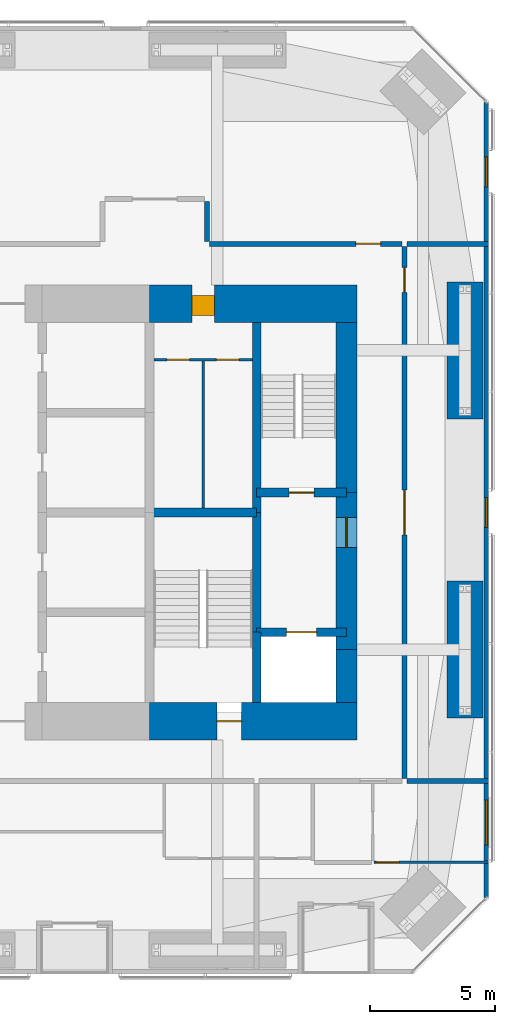
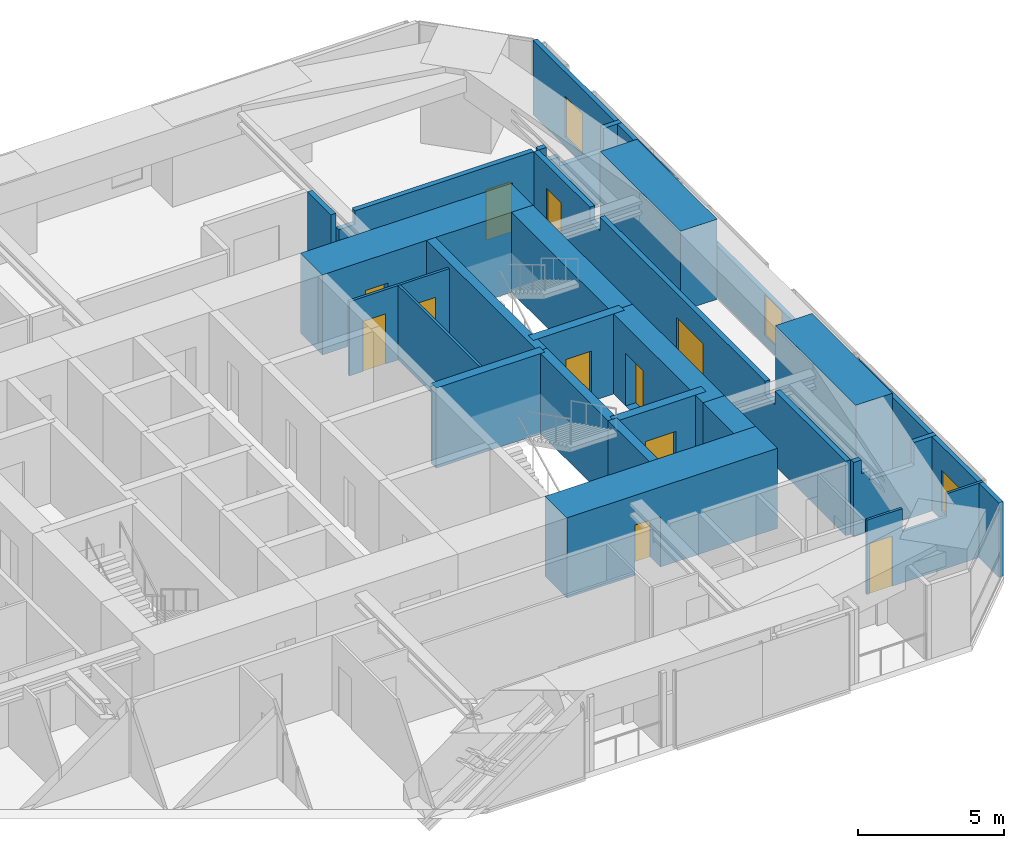
# One storey, part 21 of 24: 22 walls, 11 doors, 3 windows, 14 openings.
"""IFC4 building model written with IfcOpenShell, lengths in metres."""

from ifc_helpers import new_model, si_unit, direction, frame, frame_2d, origin, place, context, subcontext, project, spatial, polyline, rectangle, outline, extrude, material, layer, layer_set, constituent, constituent_set, type_object, element, fill, save


model = new_model("IFC4")

# Units and contexts
model_context = context("Model", 3, precision=1e-05, world=origin(), true_north=direction((0.0, 1.0)))
body_context = subcontext(model_context, "Body", "Model", "MODEL_VIEW")
ifc_project = project(units=[si_unit("LENGTHUNIT", "METRE"), si_unit("AREAUNIT", "SQUARE_METRE"), si_unit("VOLUMEUNIT", "CUBIC_METRE"), si_unit("PLANEANGLEUNIT", "RADIAN"), si_unit("MASSUNIT", "GRAM", prefix="KILO")], contexts=[model_context])

# Site, building, storey
site_placement = place(None, origin())
site = spatial("IfcSite", under=ifc_project, at=site_placement, CompositionType="ELEMENT")
building_placement = place(site_placement, origin())
building = spatial("IfcBuilding", under=site, at=building_placement, Name="Jalousie Tower", CompositionType="ELEMENT")
storey_placement = place(building_placement, frame((0.0, 0.0, 135.0)))
storey = spatial("IfcBuildingStorey", under=building, at=storey_placement, Name="L37", CompositionType="ELEMENT", Elevation=135.0)

# Wall, opening, door
ifc_material_1 = material(Name="Concrete f'c 120 MPa", Category="concrete")
ifc_layer_1 = layer(ifc_material_1, 1.5)
ifc_layer_set_1 = layer_set([ifc_layer_1], Name="Concrete f'c 120 MPa")
wall_type_1 = type_object("IfcWallType", Name="CORE WALL 1500", PredefinedType="SHEAR", material=ifc_layer_set_1)
wall_1_placement = place(storey_placement, frame((35.89990234375, 10.125, 0.0), z_axis=(0.0, 0.0, 1.0), x_axis=(1.0, 0.0, 0.0)))
wall_1 = element("IfcWall", 1, at=wall_1_placement, inside=storey, type_object=wall_type_1, Name="Core wall SD L37", PredefinedType="SHEAR", context=body_context, shape_type="SweptSolid", body=[
    extrude(rectangle(XDim=8.3251953125, YDim=1.5, at=frame_2d((4.16259765625, 0.0))), origin(), (0.0, 0.0, 1.0), 3.35009765625),
])
opening_1_placement = place(wall_1_placement, frame((2.699951171875, 0.0, 0.0)))
opening_1 = element("IfcOpeningElement", 2, at=opening_1_placement, cuts=wall_1, Name="Opening D10", PredefinedType="OPENING", context=body_context, shape_type="SweptSolid", body=[
    extrude(rectangle(XDim=1.0, YDim=2.10009765625, at=frame_2d((0.5, 1.050048828125))), frame((0.0, 0.760009765625, 0.0), z_axis=(0.0, -1.0, 0.0), x_axis=(1.0, 0.0, 0.0)), (0.0, 0.0, 1.0), 1.52001953125),
])
ifc_material_2 = material(Name="Steel fire door", Category="steel")
door_type_1 = type_object("IfcDoorType", Name="STAIR DOOR 1000", OperationType="SINGLE_SWING_LEFT", PredefinedType="DOOR", material=ifc_material_2)
door_1_placement = place(opening_1_placement, origin())
door_1 = element("IfcDoor", 3, at=door_1_placement, inside=storey, type_object=door_type_1, Name="Exit stair C door", OperationType="SINGLE_SWING_RIGHT", OverallHeight=2.10009765625, OverallWidth=1.0, PredefinedType="DOOR", context=body_context, shape_type="SweptSolid", body=[
    extrude(rectangle(XDim=1.0, YDim=2.10009765625, at=frame_2d((0.5, 1.050048828125))), frame((0.0, 0.02490234375, 0.0), z_axis=(0.0, -1.0, 0.0), x_axis=(1.0, 0.0, 0.0)), (0.0, 0.0, 1.0), 0.050048828125),
])
fill(opening_1, door_1)

wall_2_placement = place(storey_placement, frame((44.22509765625, 26.875, 0.0), z_axis=(0.0, 0.0, 1.0), x_axis=(-1.0, 0.0, 0.0)))
wall_2 = element("IfcWall", 4, at=wall_2_placement, inside=storey, type_object=wall_type_1, Name="Core wall NA L37", PredefinedType="SHEAR", context=body_context, shape_type="SweptSolid", body=[
    extrude(rectangle(XDim=8.3251953125, YDim=1.5, at=frame_2d((4.16259765625, 0.0))), origin(), (0.0, 0.0, 1.0), 3.35009765625),
])
opening_2_placement = place(wall_2_placement, frame((5.72509765625, 0.0, 0.0)))
opening_2 = element("IfcOpeningElement", 5, at=opening_2_placement, cuts=wall_2, Name="Opening D25", PredefinedType="OPENING", context=body_context, shape_type="SweptSolid", body=[
    extrude(rectangle(XDim=0.89990234375, YDim=2.10009765625, at=frame_2d((0.449951171875, 1.050048828125))), frame((0.0, 0.760009765625, 0.0), z_axis=(0.0, -1.0, 0.0), x_axis=(1.0, 0.0, 0.0)), (0.0, 0.0, 1.0), 1.52001953125),
])
ifc_material_3 = material(Name="Steel fire door", Category="steel")
door_type_2 = type_object("IfcDoorType", Name="SERVICE LOBBY DOOR 900", OperationType="SINGLE_SWING_LEFT", PredefinedType="DOOR", material=ifc_material_3)
door_2_placement = place(opening_2_placement, origin())
door_2 = element("IfcDoor", 6, at=door_2_placement, inside=storey, type_object=door_type_2, Name="Service lobby door", OperationType="SINGLE_SWING_LEFT", OverallHeight=2.10009765625, OverallWidth=0.89990234375, PredefinedType="DOOR", context=body_context, shape_type="SweptSolid", body=[
    extrude(rectangle(XDim=0.89990234375, YDim=2.10009765625, at=frame_2d((0.449951171875, 1.050048828125))), frame((0.0, 0.47021484375, 0.0), z_axis=(0.0, -1.0, 0.0), x_axis=(1.0, 0.0, 0.0)), (0.0, 0.0, 1.0), 0.800048828125),
])
fill(opening_2, door_2)

# Walls
ifc_material_4 = material(Name="Concrete f'c 120 MPa", Category="concrete")
ifc_layer_2 = layer(ifc_material_4, 0.35009765625)
ifc_layer_set_2 = layer_set([ifc_layer_2], Name="Concrete f'c 120 MPa")
wall_type_2 = type_object("IfcWallType", Name="CORE WALL 350", PredefinedType="SHEAR", material=ifc_layer_set_2)
wall_3_placement = place(storey_placement, frame((40.199951171875, 10.875, 0.0), z_axis=(0.0, 0.0, 1.0), x_axis=(0.0, 1.0, 0.0)))
element("IfcWall", 7, at=wall_3_placement, inside=storey, type_object=wall_type_2, Name="Core wall X40.2A L37", PredefinedType="SHEAR", context=body_context, shape_type="SweptSolid", body=[
    extrude(rectangle(XDim=2.824951171875, YDim=0.35009765625, at=frame_2d((1.41259765625, 0.0))), origin(), (0.0, 0.0, 1.0), 3.35009765625),
])
wall_4_placement = place(storey_placement, frame((40.199951171875, 13.699951171875, 0.0), z_axis=(0.0, 0.0, 1.0), x_axis=(0.0, 1.0, 0.0)))
element("IfcWall", 8, at=wall_4_placement, inside=storey, type_object=wall_type_2, Name="Core wall X40.2B L37", PredefinedType="SHEAR", context=body_context, shape_type="SweptSolid", body=[
    extrude(rectangle(XDim=4.800048828125, YDim=0.35009765625, at=frame_2d((2.39990234375, 0.0))), origin(), (0.0, 0.0, 1.0), 3.35009765625),
])
wall_5_placement = place(storey_placement, frame((40.199951171875, 18.5, 0.0), z_axis=(0.0, 0.0, 1.0), x_axis=(0.0, 1.0, 0.0)))
element("IfcWall", 9, at=wall_5_placement, inside=storey, type_object=wall_type_2, Name="Core wall X40.2C L37", PredefinedType="SHEAR", context=body_context, shape_type="SweptSolid", body=[
    extrude(rectangle(XDim=7.625, YDim=0.35009765625, at=frame_2d((3.8125, 0.0))), origin(), (0.0, 0.0, 1.0), 3.35009765625),
])
wall_6_placement = place(storey_placement, frame((35.89990234375, 18.5, 0.0), z_axis=(0.0, 0.0, 1.0), x_axis=(1.0, 0.0, 0.0)))
element("IfcWall", 10, at=wall_6_placement, inside=storey, type_object=wall_type_2, Name="Core wall Y35.9-18.5 L37", PredefinedType="SHEAR", context=body_context, shape_type="SweptSolid", body=[
    extrude(rectangle(XDim=4.300048828125, YDim=0.35009765625, at=frame_2d((2.14990234375, 0.0))), origin(), (0.0, 0.0, 1.0), 3.35009765625),
])

# Wall, opening, door
wall_7_placement = place(storey_placement, frame((40.199951171875, 13.699951171875, 0.0), z_axis=(0.0, 0.0, 1.0), x_axis=(1.0, 0.0, 0.0)))
wall_7 = element("IfcWall", 11, at=wall_7_placement, inside=storey, type_object=wall_type_2, Name="Core wall Y40.2-13.7 L37", PredefinedType="SHEAR", context=body_context, shape_type="SweptSolid", body=[
    extrude(rectangle(XDim=3.60009765625, YDim=0.35009765625, at=frame_2d((1.800048828125, 0.0))), origin(), (0.0, 0.0, 1.0), 3.35009765625),
])
opening_3_placement = place(wall_7_placement, frame((1.199951171875, 0.0, 0.0)))
opening_3 = element("IfcOpeningElement", 12, at=opening_3_placement, cuts=wall_7, Name="Opening LD2", PredefinedType="OPENING", context=body_context, shape_type="SweptSolid", body=[
    extrude(rectangle(XDim=1.199951171875, YDim=2.10009765625, at=frame_2d((0.60009765625, 1.050048828125))), frame((0.0, 0.18505859375, 0.0), z_axis=(0.0, -1.0, 0.0), x_axis=(1.0, 0.0, 0.0)), (0.0, 0.0, 1.0), 0.3701171875),
])
ifc_material_5 = material(Name="Steel lift landing door", Category="steel")
door_type_3 = type_object("IfcDoorType", Name="LIFT LANDING DOOR 1200", OperationType="SLIDING_TO_LEFT", PredefinedType="DOOR", material=ifc_material_5)
door_3_placement = place(opening_3_placement, origin())
door_3 = element("IfcDoor", 13, at=door_3_placement, inside=storey, type_object=door_type_3, Name="Lift F2 landing door", OperationType="SLIDING_TO_LEFT", OverallHeight=2.10009765625, OverallWidth=1.199951171875, PredefinedType="DOOR", context=body_context, shape_type="SweptSolid", body=[
    extrude(rectangle(XDim=1.199951171875, YDim=2.10009765625, at=frame_2d((0.60009765625, 1.050048828125))), frame((0.0, 0.02490234375, 0.0), z_axis=(0.0, -1.0, 0.0), x_axis=(1.0, 0.0, 0.0)), (0.0, 0.0, 1.0), 0.050048828125),
])
fill(opening_3, door_3)

wall_8_placement = place(storey_placement, frame((40.199951171875, 19.300048828125, 0.0), z_axis=(0.0, 0.0, 1.0), x_axis=(1.0, 0.0, 0.0)))
wall_8 = element("IfcWall", 14, at=wall_8_placement, inside=storey, type_object=wall_type_2, Name="Core wall Y40.2-19.3 L37", PredefinedType="SHEAR", context=body_context, shape_type="SweptSolid", body=[
    extrude(rectangle(XDim=3.60009765625, YDim=0.35009765625, at=frame_2d((1.800048828125, 0.0))), origin(), (0.0, 0.0, 1.0), 3.35009765625),
])
opening_4_placement = place(wall_8_placement, frame((1.300048828125, 0.0, 0.0)))
opening_4 = element("IfcOpeningElement", 15, at=opening_4_placement, cuts=wall_8, Name="Opening D10", PredefinedType="OPENING", context=body_context, shape_type="SweptSolid", body=[
    extrude(rectangle(XDim=1.0, YDim=2.10009765625, at=frame_2d((0.5, 1.050048828125))), frame((0.0, 0.18505859375, 0.0), z_axis=(0.0, -1.0, 0.0), x_axis=(1.0, 0.0, 0.0)), (0.0, 0.0, 1.0), 0.3701171875),
])
door_4_placement = place(opening_4_placement, origin())
door_4 = element("IfcDoor", 16, at=door_4_placement, inside=storey, type_object=door_type_1, Name="Exit stair B door", OperationType="SINGLE_SWING_RIGHT", OverallHeight=2.10009765625, OverallWidth=1.0, PredefinedType="DOOR", context=body_context, shape_type="SweptSolid", body=[
    extrude(rectangle(XDim=1.0, YDim=2.10009765625, at=frame_2d((0.5, 1.050048828125))), frame((0.0, 0.02490234375, 0.0), z_axis=(0.0, -1.0, 0.0), x_axis=(1.0, 0.0, 0.0)), (0.0, 0.0, 1.0), 0.050048828125),
])
fill(opening_4, door_4)

# Wall
ifc_material_6 = material(Name="Concrete f'c 120 MPa", Category="concrete")
ifc_layer_3 = layer(ifc_material_6, 0.85009765625)
ifc_layer_set_3 = layer_set([ifc_layer_3], Name="Concrete f'c 120 MPa")
wall_type_3 = type_object("IfcWallType", Name="CORE WALL 850", PredefinedType="SHEAR", material=ifc_layer_set_3)
wall_9_placement = place(storey_placement, frame((43.800048828125, 10.875, 0.0), z_axis=(0.0, 0.0, 1.0), x_axis=(0.0, 1.0, 0.0)))
element("IfcWall", 17, at=wall_9_placement, inside=storey, type_object=wall_type_3, Name="Core wall EA L37", PredefinedType="SHEAR", context=body_context, shape_type="SweptSolid", body=[
    extrude(rectangle(XDim=2.125, YDim=0.85009765625, at=frame_2d((1.0625, 0.0))), origin(), (0.0, 0.0, 1.0), 3.35009765625),
])

# Wall, opening, door
wall_10_placement = place(storey_placement, frame((43.800048828125, 13.0, 0.0), z_axis=(0.0, 0.0, 1.0), x_axis=(0.0, 1.0, 0.0)))
wall_10 = element("IfcWall", 18, at=wall_10_placement, inside=storey, type_object=wall_type_3, Name="Core wall EB L37", PredefinedType="SHEAR", context=body_context, shape_type="SweptSolid", body=[
    extrude(rectangle(XDim=6.300048828125, YDim=0.85009765625, at=frame_2d((3.14990234375, 0.0))), origin(), (0.0, 0.0, 1.0), 3.35009765625),
])
opening_5_placement = place(wall_10_placement, frame((4.10009765625, 0.0, 0.0)))
opening_5 = element("IfcOpeningElement", 19, at=opening_5_placement, cuts=wall_10, Name="Opening D11", PredefinedType="OPENING", context=body_context, shape_type="SweptSolid", body=[
    extrude(rectangle(XDim=1.199951171875, YDim=2.199951171875, at=frame_2d((0.60009765625, 1.10009765625))), frame((0.0, 0.43505859375, 0.0), z_axis=(0.0, -1.0, 0.0), x_axis=(1.0, 0.0, 0.0)), (0.0, 0.0, 1.0), 0.8701171875),
])
ifc_material_7 = material(Name="Steel fire door", Category="steel")
door_type_4 = type_object("IfcDoorType", Name="FIRE DOOR 1200", OperationType="SINGLE_SWING_LEFT", PredefinedType="DOOR", material=ifc_material_7)
door_5_placement = place(opening_5_placement, origin())
door_5 = element("IfcDoor", 20, at=door_5_placement, inside=storey, type_object=door_type_4, Name="Fire-fighting lobby B door", OperationType="SINGLE_SWING_RIGHT", OverallHeight=2.199951171875, OverallWidth=1.199951171875, PredefinedType="DOOR", context=body_context, shape_type="SweptSolid", body=[
    extrude(rectangle(XDim=1.199951171875, YDim=2.199951171875, at=frame_2d((0.60009765625, 1.10009765625))), frame((0.0, 0.02490234375, 0.0), z_axis=(0.0, -1.0, 0.0), x_axis=(1.0, 0.0, 0.0)), (0.0, 0.0, 1.0), 0.050048828125),
])
fill(opening_5, door_5)

# Wall
wall_11_placement = place(storey_placement, frame((43.800048828125, 19.300048828125, 0.0), z_axis=(0.0, 0.0, 1.0), x_axis=(0.0, 1.0, 0.0)))
element("IfcWall", 21, at=wall_11_placement, inside=storey, type_object=wall_type_3, Name="Core wall EC L37", PredefinedType="SHEAR", context=body_context, shape_type="SweptSolid", body=[
    extrude(rectangle(XDim=6.824951171875, YDim=0.85009765625, at=frame_2d((3.41259765625, 0.0))), origin(), (0.0, 0.0, 1.0), 3.35009765625),
])

# Wall, openings, doors
ifc_material_8 = material(Name="Concrete block ASTM C90", Category="concrete")
ifc_constituent_1 = constituent(ifc_material_8, Name="Body")
ifc_material_9 = material(Name="Render")
ifc_constituent_2 = constituent(ifc_material_9, Name="Finish")
ifc_constituent_set_1 = constituent_set(constituents=[ifc_constituent_1, ifc_constituent_2])
wall_type_4 = type_object("IfcWallType", Name="CORRIDOR WALL 200", PredefinedType="PARTITIONING", material=ifc_constituent_set_1)
wall_12_placement = place(storey_placement, frame((46.125, 7.824951171875, 0.0), z_axis=(0.0, 0.0, 1.0), x_axis=(0.0, 1.0, 0.0)))
wall_12 = element("IfcWall", 22, at=wall_12_placement, inside=storey, type_object=wall_type_4, Name="Corridor Wall 200 L37", PredefinedType="PARTITIONING", context=body_context, shape_type="SweptSolid", body=[
    extrude(outline(polyline([(0.0, 0.0), (21.35009765625, 0.0), (21.35009765625, 3.110107421875), (17.512451171875, 3.110107421875), (17.512451171875, 2.541015625), (16.837646484375, 2.541015625), (16.837646484375, 3.110107421875), (5.51220703125, 3.110107421875), (5.51220703125, 2.541015625), (4.837646484375, 2.541015625), (4.837646484375, 3.110107421875), (0.0, 3.110107421875), (0.0, 0.0)])), frame((0.0, 0.10009765625, 0.0), z_axis=(0.0, -1.0, 0.0), x_axis=(1.0, 0.0, 0.0)), (0.0, 0.0, 1.0), 0.199951171875),
])
opening_6_placement = place(wall_12_placement, frame((9.77490234375, 0.0, 0.0)))
opening_6 = element("IfcOpeningElement", 23, at=opening_6_placement, cuts=wall_12, Name="Opening D22", PredefinedType="OPENING", context=body_context, shape_type="SweptSolid", body=[
    extrude(rectangle(XDim=1.800048828125, YDim=2.10009765625, at=frame_2d((0.89990234375, 1.050048828125))), frame((0.0, 0.10986328125, 0.0), z_axis=(0.0, -1.0, 0.0), x_axis=(1.0, 0.0, 0.0)), (0.0, 0.0, 1.0), 0.219970703125),
])
opening_7_placement = place(wall_12_placement, frame((19.5, 0.0, 0.0)))
opening_7 = element("IfcOpeningElement", 24, at=opening_7_placement, cuts=wall_12, Name="Opening D21", PredefinedType="OPENING", context=body_context, shape_type="SweptSolid", body=[
    extrude(rectangle(XDim=1.0, YDim=2.10009765625, at=frame_2d((0.5, 1.050048828125))), frame((0.0, 0.10986328125, 0.0), z_axis=(0.0, -1.0, 0.0), x_axis=(1.0, 0.0, 0.0)), (0.0, 0.0, 1.0), 0.219970703125),
])
ifc_material_10 = material(Name="Timber fire door", Category="wood")
door_type_5 = type_object("IfcDoorType", Name="CORRIDOR DOOR 1000", OperationType="SINGLE_SWING_LEFT", PredefinedType="DOOR", material=ifc_material_10)
door_6_placement = place(opening_7_placement, frame((1.0, 0.0, 0.0), z_axis=(0.0, 0.0, 1.0), x_axis=(-1.0, 0.0, 0.0)))
door_6 = element("IfcDoor", 25, at=door_6_placement, inside=storey, type_object=door_type_5, Name="Lounge second door", OperationType="SINGLE_SWING_LEFT", OverallHeight=2.10009765625, OverallWidth=1.0, PredefinedType="DOOR", context=body_context, shape_type="SweptSolid", body=[
    extrude(rectangle(XDim=1.0, YDim=2.10009765625, at=frame_2d((0.5, 1.050048828125))), frame((0.0, 0.02490234375, 0.0), z_axis=(0.0, -1.0, 0.0), x_axis=(1.0, 0.0, 0.0)), (0.0, 0.0, 1.0), 0.050048828125),
])
fill(opening_7, door_6)
ifc_material_11 = material(Name="Timber fire door", Category="wood")
door_type_6 = type_object("IfcDoorType", Name="CORRIDOR DOUBLE DOOR 1800", OperationType="DOUBLE_DOOR_SINGLE_SWING", PredefinedType="DOOR", material=ifc_material_11)
door_7_placement = place(opening_6_placement, frame((1.800048828125, 0.0, 0.0), z_axis=(0.0, 0.0, 1.0), x_axis=(-1.0, 0.0, 0.0)))
door_7 = element("IfcDoor", 26, at=door_7_placement, inside=storey, type_object=door_type_6, Name="Lounge door", OperationType="DOUBLE_DOOR_SINGLE_SWING", OverallHeight=2.10009765625, OverallWidth=1.800048828125, PredefinedType="DOOR", context=body_context, shape_type="SweptSolid", body=[
    extrude(rectangle(XDim=1.800048828125, YDim=2.10009765625, at=frame_2d((0.89990234375, 1.050048828125))), frame((0.0, 0.02490234375, 0.0), z_axis=(0.0, -1.0, 0.0), x_axis=(1.0, 0.0, 0.0)), (0.0, 0.0, 1.0), 0.050048828125),
])
fill(opening_6, door_7)

# Wall, opening, door
wall_13_placement = place(storey_placement, frame((38.3125, 29.27490234375, 0.0), z_axis=(0.0, 0.0, 1.0), x_axis=(1.0, 0.0, 0.0)))
wall_13 = element("IfcWall", 27, at=wall_13_placement, inside=storey, type_object=wall_type_4, Name="Corridor Wall 200 L37", PredefinedType="PARTITIONING", context=body_context, shape_type="SweptSolid", body=[
    extrude(outline(polyline([(0.0, 0.0), (7.71240234375, 0.0), (7.71240234375, 3.110107421875), (0.64990234375, 3.110107421875), (0.64990234375, 2.541015625), (0.0, 2.541015625), (0.0, 3.110107421875), (0.0, 0.0)])), frame((0.0, 0.10009765625, 0.0), z_axis=(0.0, -1.0, 0.0), x_axis=(1.0, 0.0, 0.0)), (0.0, 0.0, 1.0), 0.199951171875),
])
opening_8_placement = place(wall_13_placement, frame((5.862548828125, 0.0, 0.0)))
opening_8 = element("IfcOpeningElement", 28, at=opening_8_placement, cuts=wall_13, Name="Opening D21", PredefinedType="OPENING", context=body_context, shape_type="SweptSolid", body=[
    extrude(rectangle(XDim=1.0, YDim=2.10009765625, at=frame_2d((0.5, 1.050048828125))), frame((0.0, 0.10986328125, 0.0), z_axis=(0.0, -1.0, 0.0), x_axis=(1.0, 0.0, 0.0)), (0.0, 0.0, 1.0), 0.219970703125),
])
door_8_placement = place(opening_8_placement, origin())
door_8 = element("IfcDoor", 29, at=door_8_placement, inside=storey, type_object=door_type_5, Name="Residents' bay-view lounge second door", OperationType="SINGLE_SWING_RIGHT", OverallHeight=2.10009765625, OverallWidth=1.0, PredefinedType="DOOR", context=body_context, shape_type="SweptSolid", body=[
    extrude(rectangle(XDim=1.0, YDim=2.10009765625, at=frame_2d((0.5, 1.050048828125))), frame((0.0, 0.02490234375, 0.0), z_axis=(0.0, -1.0, 0.0), x_axis=(1.0, 0.0, 0.0)), (0.0, 0.0, 1.0), 0.050048828125),
])
fill(opening_8, door_8)

# Wall
wall_14_placement = place(storey_placement, frame((38.21240234375, 29.375, 0.0), z_axis=(0.0, 0.0, 1.0), x_axis=(0.0, 1.0, 0.0)))
element("IfcWall", 30, at=wall_14_placement, inside=storey, type_object=wall_type_4, Name="Corridor Wall 200 L37", PredefinedType="PARTITIONING", context=body_context, shape_type="SweptSolid", body=[
    extrude(rectangle(XDim=1.60009765625, YDim=0.199951171875, at=frame_2d((0.800048828125, 0.0))), origin(), (0.0, 0.0, 1.0), 3.110107421875),
])

# Wall, openings, windows
ifc_material_12 = material(Name="Concrete f'c 40 MPa", Category="concrete")
ifc_constituent_3 = constituent(ifc_material_12, Name="Body")
ifc_material_13 = material(Name="Render, pastel sea green")
ifc_constituent_4 = constituent(ifc_material_13, Name="Finish")
ifc_constituent_set_2 = constituent_set(constituents=[ifc_constituent_3, ifc_constituent_4])
wall_type_5 = type_object("IfcWallType", Name="EXTERNAL WALL 175 SEA GREEN RENDER", PredefinedType="SOLIDWALL", material=ifc_constituent_set_2)
wall_15_placement = place(storey_placement, frame((49.41259765625, 3.05126953125, 0.0), z_axis=(0.0, 0.0, 1.0), x_axis=(0.0, 1.0, 0.0)))
wall_15 = element("IfcWall", 31, at=wall_15_placement, inside=storey, type_object=wall_type_5, Name="External Wall 175 Sea Green Render L37", PredefinedType="SOLIDWALL", context=body_context, shape_type="SweptSolid", body=[
    extrude(outline(polyline([(0.0, 0.0), (31.8974609375, 0.0), (31.8974609375, 3.110107421875), (22.167236328125, 3.110107421875), (22.167236328125, 2.14990234375), (22.074462890625, 2.14990234375), (22.074462890625, 3.110107421875), (21.94873046875, 3.110107421875), (21.94873046875, 2.14990234375), (9.94873046875, 2.14990234375), (9.94873046875, 3.110107421875), (9.822998046875, 3.110107421875), (9.822998046875, 2.14990234375), (9.72998046875, 2.14990234375), (9.72998046875, 3.110107421875), (0.0, 3.110107421875), (0.0, 0.0)])), frame((0.0, 0.08740234375, 0.0), z_axis=(0.0, -1.0, 0.0), x_axis=(1.0, 0.0, 0.0)), (0.0, 0.0, 1.0), 0.175048828125),
])
opening_9_placement = place(wall_15_placement, frame((2.1181640625, 0.0, 0.39990234375)))
opening_9 = element("IfcOpeningElement", 32, at=opening_9_placement, cuts=wall_15, Name="Opening W-BED170", PredefinedType="OPENING", context=body_context, shape_type="SweptSolid", body=[
    extrude(rectangle(XDim=1.800048828125, YDim=1.699951171875, at=frame_2d((0.89990234375, 0.85009765625))), frame((0.0, 0.097412109375, 0.0), z_axis=(0.0, -1.0, 0.0), x_axis=(1.0, 0.0, 0.0)), (0.0, 0.0, 1.0), 0.195068359375),
])
opening_10_placement = place(wall_15_placement, frame((14.8486328125, 0.0, 0.39990234375)))
opening_10 = element("IfcOpeningElement", 33, at=opening_10_placement, cuts=wall_15, Name="Opening W-COR170", PredefinedType="OPENING", context=body_context, shape_type="SweptSolid", body=[
    extrude(rectangle(XDim=1.199951171875, YDim=1.699951171875, at=frame_2d((0.60009765625, 0.85009765625))), frame((0.0, 0.097412109375, 0.0), z_axis=(0.0, -1.0, 0.0), x_axis=(1.0, 0.0, 0.0)), (0.0, 0.0, 1.0), 0.195068359375),
])
opening_11_placement = place(wall_15_placement, frame((28.510498046875, 0.0, 0.39990234375)))
opening_11 = element("IfcOpeningElement", 34, at=opening_11_placement, cuts=wall_15, Name="Opening W-COR170", PredefinedType="OPENING", context=body_context, shape_type="SweptSolid", body=[
    extrude(rectangle(XDim=1.199951171875, YDim=1.699951171875, at=frame_2d((0.60009765625, 0.85009765625))), frame((0.0, 0.097412109375, 0.0), z_axis=(0.0, -1.0, 0.0), x_axis=(1.0, 0.0, 0.0)), (0.0, 0.0, 1.0), 0.195068359375),
])
ifc_material_14 = material(Name="Aluminium frame, impact-rated glazing", Category="aluminium")
window_type_1 = type_object("IfcWindowType", Name="WINDOW BED 1800x1700", PartitioningType="SINGLE_PANEL", PredefinedType="WINDOW", material=ifc_material_14)
window_1_placement = place(opening_9_placement, origin())
window_1 = element("IfcWindow", 35, at=window_1_placement, inside=storey, type_object=window_type_1, Name="Apartment 3702 bedroom 1 window", OverallHeight=1.699951171875, OverallWidth=1.800048828125, PartitioningType="SINGLE_PANEL", PredefinedType="WINDOW", context=body_context, shape_type="SweptSolid", body=[
    extrude(rectangle(XDim=1.800048828125, YDim=1.699951171875, at=frame_2d((0.89990234375, 0.85009765625))), frame((0.0, 0.030029296875, 0.0), z_axis=(0.0, -1.0, 0.0), x_axis=(1.0, 0.0, 0.0)), (0.0, 0.0, 1.0), 0.06005859375),
])
fill(opening_9, window_1)
ifc_material_15 = material(Name="Aluminium frame, impact-rated glazing", Category="aluminium")
window_type_2 = type_object("IfcWindowType", Name="WINDOW COR 1200x1700", PartitioningType="SINGLE_PANEL", PredefinedType="WINDOW", material=ifc_material_15)
window_2_placement = place(opening_10_placement, origin())
window_2 = element("IfcWindow", 36, at=window_2_placement, inside=storey, type_object=window_type_2, Name="Residents' lounge window", OverallHeight=1.699951171875, OverallWidth=1.199951171875, PartitioningType="SINGLE_PANEL", PredefinedType="WINDOW", context=body_context, shape_type="SweptSolid", body=[
    extrude(rectangle(XDim=1.199951171875, YDim=1.699951171875, at=frame_2d((0.60009765625, 0.85009765625))), frame((0.0, 0.030029296875, 0.0), z_axis=(0.0, -1.0, 0.0), x_axis=(1.0, 0.0, 0.0)), (0.0, 0.0, 1.0), 0.06005859375),
])
fill(opening_10, window_2)
window_3_placement = place(opening_11_placement, origin())
window_3 = element("IfcWindow", 37, at=window_3_placement, inside=storey, type_object=window_type_2, Name="Residents' bay-view lounge window", OverallHeight=1.699951171875, OverallWidth=1.199951171875, PartitioningType="SINGLE_PANEL", PredefinedType="WINDOW", context=body_context, shape_type="SweptSolid", body=[
    extrude(rectangle(XDim=1.199951171875, YDim=1.699951171875, at=frame_2d((0.60009765625, 0.85009765625))), frame((0.0, 0.030029296875, 0.0), z_axis=(0.0, -1.0, 0.0), x_axis=(1.0, 0.0, 0.0)), (0.0, 0.0, 1.0), 0.06005859375),
])
fill(opening_11, window_3)

# Wall, opening, door
ifc_material_16 = material(Name="Gypsum board", Category="gypsum")
ifc_constituent_5 = constituent(ifc_material_16, Name="Body")
ifc_material_17 = material(Name="Light-gauge steel studs ASTM A653 SS Grade 33", Category="steel")
ifc_constituent_6 = constituent(ifc_material_17, Name="Framing")
ifc_constituent_set_3 = constituent_set(constituents=[ifc_constituent_5, ifc_constituent_6])
wall_type_6 = type_object("IfcWallType", Name="PARTITION 100", PredefinedType="PARTITIONING", material=ifc_constituent_set_3)
wall_16_placement = place(storey_placement, frame((44.89990234375, 4.4638671875, 0.0), z_axis=(0.0, 0.0, 1.0), x_axis=(1.0, 0.0, 0.0)))
wall_16 = element("IfcWall", 38, at=wall_16_placement, inside=storey, type_object=wall_type_6, Name="Partition 100 L37", PredefinedType="PARTITIONING", context=body_context, shape_type="SweptSolid", body=[
    extrude(outline(polyline([(0.0, 0.0), (4.60009765625, 0.0), (4.60009765625, 3.110107421875), (3.136962890625, 3.110107421875), (3.136962890625, 2.14990234375), (1.39453125, 2.14990234375), (1.39453125, 3.110107421875), (0.0, 3.110107421875), (0.0, 0.0)])), frame((0.0, 0.050048828125, 0.0), z_axis=(0.0, -1.0, 0.0), x_axis=(1.0, 0.0, 0.0)), (0.0, 0.0, 1.0), 0.10009765625),
])
opening_12_placement = place(wall_16_placement, frame((0.10009765625, 0.0, 0.0)))
opening_12 = element("IfcOpeningElement", 39, at=opening_12_placement, cuts=wall_16, Name="Opening D2", PredefinedType="OPENING", context=body_context, shape_type="SweptSolid", body=[
    extrude(rectangle(XDim=0.89990234375, YDim=2.10009765625, at=frame_2d((0.449951171875, 1.050048828125))), frame((0.0, 0.06005859375, 0.0), z_axis=(0.0, -1.0, 0.0), x_axis=(1.0, 0.0, 0.0)), (0.0, 0.0, 1.0), 0.1201171875),
])
ifc_material_18 = material(Name="Timber door", Category="wood")
door_type_7 = type_object("IfcDoorType", Name="BEDROOM DOOR 900", OperationType="SINGLE_SWING_LEFT", PredefinedType="DOOR", material=ifc_material_18)
door_9_placement = place(opening_12_placement, origin())
door_9 = element("IfcDoor", 40, at=door_9_placement, inside=storey, type_object=door_type_7, Name="Apartment 3702 bedroom 1 door", OperationType="SINGLE_SWING_LEFT", OverallHeight=2.10009765625, OverallWidth=0.89990234375, PredefinedType="DOOR", context=body_context, shape_type="SweptSolid", body=[
    extrude(rectangle(XDim=0.89990234375, YDim=2.10009765625, at=frame_2d((0.449951171875, 1.050048828125))), frame((0.0, 0.02490234375, 0.0), z_axis=(0.0, -1.0, 0.0), x_axis=(1.0, 0.0, 0.0)), (0.0, 0.0, 1.0), 0.050048828125),
])
fill(opening_12, door_9)

# Wall, openings, doors
wall_17_placement = place(storey_placement, frame((36.074951171875, 24.625, 0.0), z_axis=(0.0, 0.0, 1.0), x_axis=(1.0, 0.0, 0.0)))
wall_17 = element("IfcWall", 41, at=wall_17_placement, inside=storey, type_object=wall_type_6, Name="Partition 100 L37", PredefinedType="PARTITIONING", context=body_context, shape_type="SweptSolid", body=[
    extrude(rectangle(XDim=3.949951171875, YDim=0.10009765625, at=frame_2d((1.97509765625, 0.0))), origin(), (0.0, 0.0, 1.0), 3.110107421875),
])
opening_13_placement = place(wall_17_placement, frame((0.53759765625, 0.0, 0.0)))
opening_13 = element("IfcOpeningElement", 42, at=opening_13_placement, cuts=wall_17, Name="Opening D7", PredefinedType="OPENING", context=body_context, shape_type="SweptSolid", body=[
    extrude(rectangle(XDim=0.89990234375, YDim=2.10009765625, at=frame_2d((0.449951171875, 1.050048828125))), frame((0.0, 0.06005859375, 0.0), z_axis=(0.0, -1.0, 0.0), x_axis=(1.0, 0.0, 0.0)), (0.0, 0.0, 1.0), 0.1201171875),
])
opening_14_placement = place(wall_17_placement, frame((2.512451171875, 0.0, 0.0)))
opening_14 = element("IfcOpeningElement", 43, at=opening_14_placement, cuts=wall_17, Name="Opening D7", PredefinedType="OPENING", context=body_context, shape_type="SweptSolid", body=[
    extrude(rectangle(XDim=0.89990234375, YDim=2.10009765625, at=frame_2d((0.449951171875, 1.050048828125))), frame((0.0, 0.06005859375, 0.0), z_axis=(0.0, -1.0, 0.0), x_axis=(1.0, 0.0, 0.0)), (0.0, 0.0, 1.0), 0.1201171875),
])
ifc_material_19 = material(Name="Timber door", Category="wood")
door_type_8 = type_object("IfcDoorType", Name="INTERNAL DOOR 900", OperationType="SINGLE_SWING_LEFT", PredefinedType="DOOR", material=ifc_material_19)
door_10_placement = place(opening_13_placement, frame((0.89990234375, 0.0, 0.0), z_axis=(0.0, 0.0, 1.0), x_axis=(-1.0, 0.0, 0.0)))
door_10 = element("IfcDoor", 44, at=door_10_placement, inside=storey, type_object=door_type_8, Name="Cleaner's store door", OperationType="SINGLE_SWING_LEFT", OverallHeight=2.10009765625, OverallWidth=0.89990234375, PredefinedType="DOOR", context=body_context, shape_type="SweptSolid", body=[
    extrude(rectangle(XDim=0.89990234375, YDim=2.10009765625, at=frame_2d((0.449951171875, 1.050048828125))), frame((0.0, 0.02490234375, 0.0), z_axis=(0.0, -1.0, 0.0), x_axis=(1.0, 0.0, 0.0)), (0.0, 0.0, 1.0), 0.050048828125),
])
fill(opening_13, door_10)
door_11_placement = place(opening_14_placement, frame((0.89990234375, 0.0, 0.0), z_axis=(0.0, 0.0, 1.0), x_axis=(-1.0, 0.0, 0.0)))
door_11 = element("IfcDoor", 45, at=door_11_placement, inside=storey, type_object=door_type_8, Name="Linen store door", OperationType="SINGLE_SWING_RIGHT", OverallHeight=2.10009765625, OverallWidth=0.89990234375, PredefinedType="DOOR", context=body_context, shape_type="SweptSolid", body=[
    extrude(rectangle(XDim=0.89990234375, YDim=2.10009765625, at=frame_2d((0.449951171875, 1.050048828125))), frame((0.0, 0.02490234375, 0.0), z_axis=(0.0, -1.0, 0.0), x_axis=(1.0, 0.0, 0.0)), (0.0, 0.0, 1.0), 0.050048828125),
])
fill(opening_14, door_11)

# Walls
wall_18_placement = place(storey_placement, frame((38.050048828125, 18.675048828125, 0.0), z_axis=(0.0, 0.0, 1.0), x_axis=(0.0, 1.0, 0.0)))
element("IfcWall", 46, at=wall_18_placement, inside=storey, type_object=wall_type_6, Name="Partition 100 L37", PredefinedType="PARTITIONING", context=body_context, shape_type="SweptSolid", body=[
    extrude(rectangle(XDim=5.89990234375, YDim=0.10009765625, at=frame_2d((2.949951171875, 0.0))), origin(), (0.0, 0.0, 1.0), 3.110107421875),
])
ifc_material_20 = material(Name="Concrete block ASTM C90", Category="concrete")
ifc_constituent_7 = constituent(ifc_material_20, Name="Body")
ifc_material_21 = material(Name="Render")
ifc_constituent_8 = constituent(ifc_material_21, Name="Finish")
ifc_constituent_set_4 = constituent_set(constituents=[ifc_constituent_7, ifc_constituent_8])
wall_type_7 = type_object("IfcWallType", Name="PARTY WALL 200", PredefinedType="PARTITIONING", material=ifc_constituent_set_4)
wall_19_placement = place(storey_placement, frame((46.22509765625, 7.72509765625, 0.0), z_axis=(0.0, 0.0, 1.0), x_axis=(1.0, 0.0, 0.0)))
element("IfcWall", 47, at=wall_19_placement, inside=storey, type_object=wall_type_7, Name="Party Wall 200 L37", PredefinedType="PARTITIONING", context=body_context, shape_type="SweptSolid", body=[
    extrude(outline(polyline([(0.0, 0.0), (3.27490234375, 0.0), (3.27490234375, 3.110107421875), (2.3916015625, 3.110107421875), (2.3916015625, 2.14990234375), (0.642822265625, 2.14990234375), (0.642822265625, 2.541015625), (0.30615234375, 2.541015625), (0.30615234375, 3.110107421875), (0.0, 3.110107421875), (0.0, 0.0)])), frame((0.0, 0.10009765625, 0.0), z_axis=(0.0, -1.0, 0.0), x_axis=(1.0, 0.0, 0.0)), (0.0, 0.0, 1.0), 0.199951171875),
])
wall_20_placement = place(storey_placement, frame((46.22509765625, 29.27490234375, 0.0), z_axis=(0.0, 0.0, 1.0), x_axis=(1.0, 0.0, 0.0)))
element("IfcWall", 48, at=wall_20_placement, inside=storey, type_object=wall_type_7, Name="Party Wall 200 L37", PredefinedType="PARTITIONING", context=body_context, shape_type="SweptSolid", body=[
    extrude(outline(polyline([(0.0, 0.0), (3.27490234375, 0.0), (3.27490234375, 3.110107421875), (2.5537109375, 3.110107421875), (2.5537109375, 2.14990234375), (0.80517578125, 2.14990234375), (0.80517578125, 2.541015625), (0.30615234375, 2.541015625), (0.30615234375, 3.110107421875), (0.0, 3.110107421875), (0.0, 0.0)])), frame((0.0, 0.10009765625, 0.0), z_axis=(0.0, -1.0, 0.0), x_axis=(1.0, 0.0, 0.0)), (0.0, 0.0, 1.0), 0.199951171875),
])
ifc_material_22 = material(Name="Concrete f'c 120 MPa", Category="concrete")
ifc_layer_4 = layer(ifc_material_22, 1.449951171875)
ifc_layer_set_4 = layer_set([ifc_layer_4], Name="Concrete f'c 120 MPa")
wall_type_8 = type_object("IfcWallType", Name="RC WALL PIER 1450", PredefinedType="SHEAR", material=ifc_layer_set_4)
for number, where, z_axis, x_axis, name in (
    (49, (48.550048828125, 10.25, 0.0), (0.0, 0.0, 1.0), (0.0, 1.0, 0.0), "Wall pier 06 L37"),
    (50, (48.550048828125, 22.25, 0.0), (0.0, 0.0, 1.0), (0.0, 1.0, 0.0), "Wall pier 07 L37"),
):
    element("IfcWall", number, at=place(storey_placement, frame(where, z_axis=z_axis, x_axis=x_axis)), inside=storey, type_object=wall_type_8, Name=name, PredefinedType="SHEAR", context=body_context, shape_type="SweptSolid", body=[
        extrude(rectangle(XDim=5.5, YDim=1.449951171875, at=frame_2d((2.75, 0.0))), origin(), (0.0, 0.0, 1.0), 3.35009765625),
    ])

save(model, "model.ifc")
